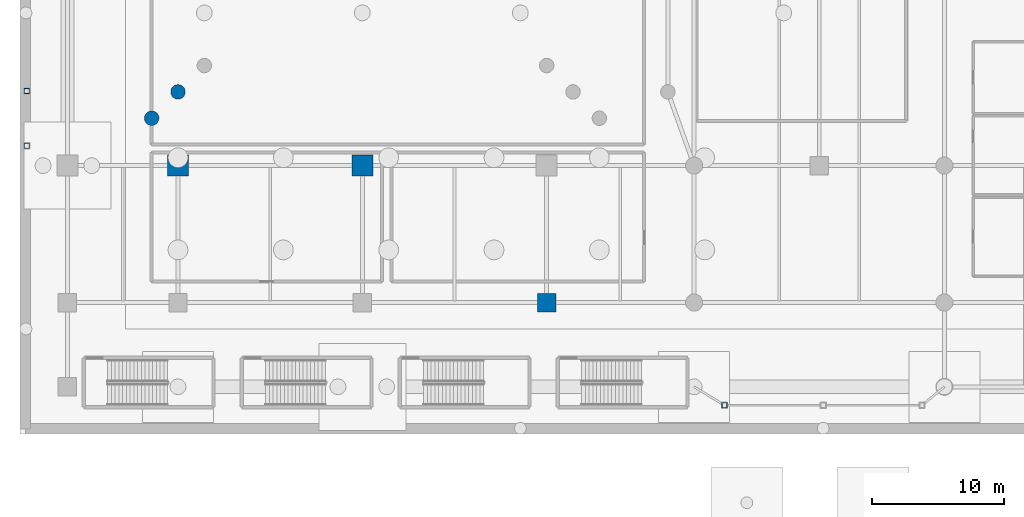
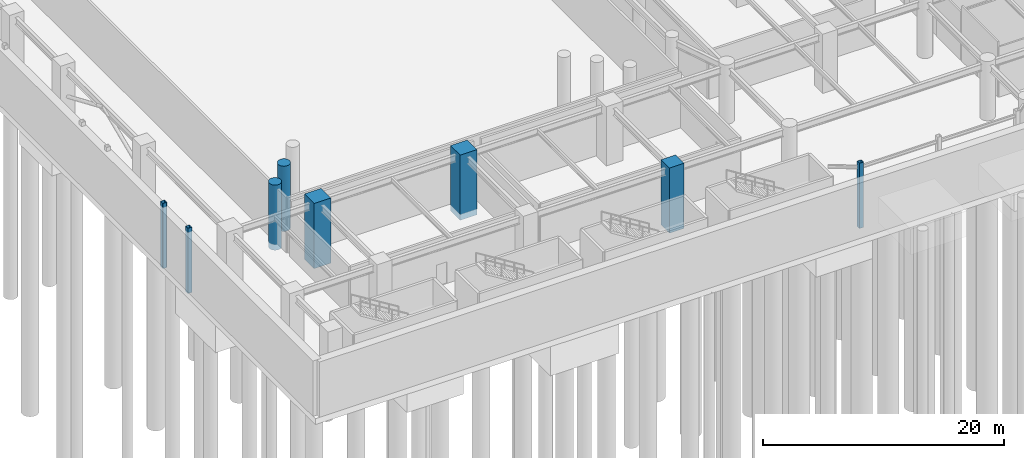
# One storey, part 2 of 37: 8 columns.
"""IFC4 building model written with IfcOpenShell, lengths in metres."""

import ifcopenshell
import ifcopenshell.guid

model = None  # the IFC model being written
_history = None  # IfcOwnerHistory: only IFC2X3 demands one
_inside = {}  # id of a spatial element -> (the spatial element, [elements in it])
_under = {}  # id of a project, library or spatial element -> (it, [spatial elements below it])
_declared = {}  # id of a project -> (the project, [libraries it declares])
_typed = {}  # id of a type object -> (the type object, [elements of that type])
_made_of = {}  # id of a material, layer set ... -> (it, [elements and type objects made of it])


def new_model(schema):
    """Start an empty IFC model of exactly this schema.

    Asked for "IFC4X3", IfcOpenShell would pick the latest addendum, in which some entities
    have other attributes; the version numbers below select the first issue.
    IFC2X3 requires an IfcOwnerHistory on every rooted entity: one is made here for all.
    """
    global model, _history
    if schema == "IFC4X3":
        model = ifcopenshell.file(schema_version=(4, 3, 0, 0))
    else:
        model = ifcopenshell.file(schema=schema)
    _inside.clear()
    _under.clear()
    _declared.clear()
    _typed.clear()
    _made_of.clear()
    _history = None
    if model.schema == "IFC2X3":
        org = make("IfcOrganization", Name="unknown")
        user = make(
            "IfcPersonAndOrganization",
            ThePerson=make("IfcPerson", FamilyName="unknown"),
            TheOrganization=org,
        )
        app = make(
            "IfcApplication",
            ApplicationDeveloper=org,
            Version="unknown",
            ApplicationFullName="unknown",
            ApplicationIdentifier="unknown",
        )
        _history = make(
            "IfcOwnerHistory",
            OwningUser=user,
            OwningApplication=app,
            ChangeAction="ADDED",
            CreationDate=0,
        )
    return model


def make(cls, **values):
    """One entity of the class cls with the attributes given. An attribute that is None is left unset."""
    return model.create_entity(
        cls, **{name: value for name, value in values.items() if value is not None}
    )


def rooted(cls, **values):
    """An entity with a GlobalId (a new one), such as an element, a storey or a relation."""
    return make(cls, GlobalId=ifcopenshell.guid.new(), OwnerHistory=_history, **values)


def si_unit(unit_type, name, prefix=None):
    """IfcSIUnit, for example si_unit("LENGTHUNIT", "METRE", prefix="MILLI")."""
    return make("IfcSIUnit", UnitType=unit_type, Prefix=prefix, Name=name)


def assignment(units):
    """IfcUnitAssignment: the units of a project."""
    return None if units is None else make("IfcUnitAssignment", Units=units)


def point(xyz):
    """IfcCartesianPoint."""
    return None if xyz is None else make("IfcCartesianPoint", Coordinates=xyz)


def direction(xyz):
    """IfcDirection."""
    return None if xyz is None else make("IfcDirection", DirectionRatios=xyz)


def frame(location, z_axis=None, x_axis=None):
    """IfcAxis2Placement3D, a coordinate frame: its origin and axes. An axis left out is left unset."""
    return make(
        "IfcAxis2Placement3D",
        Location=point(location),
        Axis=direction(z_axis),
        RefDirection=direction(x_axis),
    )


def frame_2d(location, x_axis=None):
    """IfcAxis2Placement2D, a coordinate frame in the plane: its origin and x axis."""
    return make(
        "IfcAxis2Placement2D", Location=point(location), RefDirection=direction(x_axis)
    )


def origin():
    """The frame at (0, 0, 0) with its axes left unset."""
    return frame((0.0, 0.0, 0.0))


def origin_2d():
    """The frame at (0, 0) in the plane with its x axis left unset."""
    return frame_2d((0.0, 0.0))


def place(relative_to, where):
    """IfcLocalPlacement: puts the frame where relative to a parent placement (None: the world)."""
    return make(
        "IfcLocalPlacement", PlacementRelTo=relative_to, RelativePlacement=where
    )


def context(
    kind, dimensions, precision=None, world=None, true_north=None, identifier=None
):
    """IfcGeometricRepresentationContext, for example the 3D "Model" context."""
    return make(
        "IfcGeometricRepresentationContext",
        ContextIdentifier=identifier,
        ContextType=kind,
        CoordinateSpaceDimension=dimensions,
        Precision=precision,
        WorldCoordinateSystem=world,
        TrueNorth=true_north,
    )


def subcontext(parent, identifier, kind, view, scale=None):
    """IfcGeometricRepresentationSubContext, for example "Body" below "Model"."""
    return make(
        "IfcGeometricRepresentationSubContext",
        ContextIdentifier=identifier,
        ContextType=kind,
        ParentContext=parent,
        TargetScale=scale,
        TargetView=view,
    )


def project(units=None, contexts=None):
    """IfcProject with its units and contexts."""
    return rooted(
        "IfcProject",
        Name="project",
        RepresentationContexts=contexts,
        UnitsInContext=assignment(units),
    )


def spatial(cls, under=None, at=None, **own):
    """A site, building, storey or space (cls), placed at a placement, below another one or the project."""
    s = rooted(cls, ObjectPlacement=at, **own)
    if under is not None:
        _under.setdefault(under.id(), (under, []))[1].append(s)
    return s


def profile(cls, at=None, kind="AREA", **sizes):
    """A parametric profile (cls). Its sizes go by their IFC names, for example OverallWidth=200.0."""
    return make(cls, ProfileType=kind, Position=at, **sizes)


def rectangle(**sizes):
    """IfcRectangleProfileDef."""
    return profile("IfcRectangleProfileDef", **sizes)


def hollow_rectangle(**sizes):
    """IfcRectangleHollowProfileDef."""
    return profile("IfcRectangleHollowProfileDef", **sizes)


def circle(**sizes):
    """IfcCircleProfileDef."""
    return profile("IfcCircleProfileDef", **sizes)


def extrude(swept, where, along, depth):
    """IfcExtrudedAreaSolid: the profile swept, set in the frame where, extruded along a direction by depth."""
    return make(
        "IfcExtrudedAreaSolid",
        SweptArea=swept,
        Position=where,
        ExtrudedDirection=direction(along),
        Depth=depth,
    )


def shape(context_of_items, identifier, shape_type, items):
    """IfcShapeRepresentation: the items that make up one representation, for example the "Body"."""
    return make(
        "IfcShapeRepresentation",
        ContextOfItems=context_of_items,
        RepresentationIdentifier=identifier,
        RepresentationType=shape_type,
        Items=items,
    )


def material(Name=None, Category=None):
    """IfcMaterial."""
    return make("IfcMaterial", Name=Name, Category=Category)


def material_profile(
    of_material, cross_section, Name=None, Category=None, Priority=None
):
    """IfcMaterialProfile: a cross section and its material."""
    return make(
        "IfcMaterialProfile",
        Name=Name,
        Material=of_material,
        Profile=cross_section,
        Priority=Priority,
        Category=Category,
    )


def profile_set(profiles, Name=None, composite=None):
    """IfcMaterialProfileSet."""
    return make(
        "IfcMaterialProfileSet",
        Name=Name,
        MaterialProfiles=profiles,
        CompositeProfile=composite,
    )


def made_of(thing, what):
    """Note that an element or type object is made of a material, layer set ...; save() writes the relation."""
    if what is not None:
        _made_of.setdefault(what.id(), (what, []))[1].append(thing)
    return thing


def type_object(cls, material=None, **own):
    """A type object (cls), such as IfcWallType, which elements share."""
    return made_of(rooted(cls, **own), material)


def element(
    cls,
    number,
    at=None,
    inside=None,
    cuts=None,
    type_object=None,
    material=None,
    context=None,
    identifier="Body",
    shape_type=None,
    held_by="IfcProductDefinitionShape",
    body=None,
    shapes=None,
    **own,
):
    """One element of the class cls, such as IfcWall. Its Tag is "e" and its number.

    at: its placement. inside: the storey or other place that contains it. cuts: it is an
    opening in that element (IfcRelVoidsElement). A single representation is given by context,
    identifier, shape_type and body (its items); several are given by shapes. held_by: the class
    of the entity that holds the representations. save() writes the other relations.
    """
    e = rooted(cls, Tag="e%d" % number, ObjectPlacement=at, **own)
    if body is not None:
        shapes = [shape(context, identifier, shape_type, body)]
    if shapes is not None:
        e.Representation = make(held_by, Representations=shapes)
    if inside is not None:
        _inside.setdefault(inside.id(), (inside, []))[1].append(e)
    if cuts is not None:
        rooted(
            "IfcRelVoidsElement", RelatingBuildingElement=cuts, RelatedOpeningElement=e
        )
    if type_object is not None:
        _typed.setdefault(type_object.id(), (type_object, []))[1].append(e)
    return made_of(e, material)


def aggregate(whole, parts):
    """IfcRelAggregates: a whole, such as a stair, and the parts it consists of."""
    return rooted("IfcRelAggregates", RelatingObject=whole, RelatedObjects=parts)


def save(model, path):
    """Write the relations noted so far, then the file.

    IfcRelAggregates (storeys below a building ...), IfcRelContainedInSpatialStructure (elements
    in a storey), IfcRelDefinesByType, IfcRelAssociatesMaterial and IfcRelDeclares: one each for
    every whole, place, type object, material and project.
    """
    for whole, parts in _under.values():
        aggregate(whole, parts)
    for where, things in _inside.values():
        rooted(
            "IfcRelContainedInSpatialStructure",
            RelatedElements=things,
            RelatingStructure=where,
        )
    for kind, things in _typed.values():
        rooted("IfcRelDefinesByType", RelatedObjects=things, RelatingType=kind)
    for what, things in _made_of.values():
        rooted("IfcRelAssociatesMaterial", RelatedObjects=things, RelatingMaterial=what)
    for by, libraries in _declared.values():
        rooted("IfcRelDeclares", RelatingContext=by, RelatedDefinitions=libraries)
    model.write(path)


model = new_model("IFC4")

# Units and contexts
model_context = context("Model", 3, precision=1e-05, world=origin(), true_north=direction((0.0, 1.0)))
body_context = subcontext(model_context, "Body", "Model", "MODEL_VIEW")
ifc_project = project(units=[si_unit("LENGTHUNIT", "METRE"), si_unit("AREAUNIT", "SQUARE_METRE"), si_unit("VOLUMEUNIT", "CUBIC_METRE"), si_unit("PLANEANGLEUNIT", "RADIAN"), si_unit("MASSUNIT", "GRAM", prefix="KILO")], contexts=[model_context])

# Site, building, storey
site_placement = place(None, origin())
site = spatial("IfcSite", under=ifc_project, at=site_placement, CompositionType="ELEMENT")
building_placement = place(site_placement, origin())
building = spatial("IfcBuilding", under=site, at=building_placement, Name="Narakoshi Arena Tower", CompositionType="ELEMENT")
storey_placement = place(building_placement, frame((0.0, 0.0, -6.0)))
storey = spatial("IfcBuildingStorey", under=building, at=storey_placement, Name="B01", CompositionType="ELEMENT", Elevation=-6.0)

# Columns
ifc_material_1 = material(Name="Concrete C50/60", Category="concrete")
ifc_material_profile_1 = material_profile(ifc_material_1, circle(Radius=0.550048828125, at=origin_2d()), Name="RCC1100")
ifc_profile_set_1 = profile_set([ifc_material_profile_1], Name="Concrete C50/60")
column_type_1 = type_object("IfcColumnType", Name="COL-CIR1100", PredefinedType="PILASTER", material=ifc_profile_set_1)
for number, where, z_axis, x_axis, name in (
    (1, (12.0, 26.0, -0.60009765625), (0.0, 0.0, 1.0), (1.0, 0.0, 0.0), "B01 Arena Bowl Raker Column BWL2A"),
    (2, (10.0, 24.0, -0.60009765625), (0.0, 0.0, 1.0), (1.0, 0.0, 0.0), "B01 Arena Bowl Raker Column BWL3A"),
):
    element("IfcColumn", number, at=place(storey_placement, frame(where, z_axis=z_axis, x_axis=x_axis)), inside=storey, type_object=column_type_1, Name=name, PredefinedType="PILASTER", context=body_context, shape_type="SweptSolid", body=[
        extrude(circle(Radius=0.550048828125, at=origin_2d()), origin(), (0.0, 0.0, 1.0), 6.60009765625),
    ])
ifc_material_2 = material(Name="Concrete C60/75", Category="concrete")
ifc_material_profile_2 = material_profile(ifc_material_2, rectangle(XDim=1.39990234375, YDim=1.39990234375, at=origin_2d()), Name="RC1400x1400")
ifc_profile_set_2 = profile_set([ifc_material_profile_2], Name="Concrete C60/75")
column_type_2 = type_object("IfcColumnType", Name="COL-RC1400", PredefinedType="COLUMN", material=ifc_profile_set_2)
column_placement = place(storey_placement, frame((40.0, 10.0, -0.60009765625), z_axis=(0.0, 0.0, 1.0), x_axis=(1.0, 0.0, 0.0)))
element("IfcColumn", 3, at=column_placement, inside=storey, type_object=column_type_2, Name="B01 Podium Column PC18", PredefinedType="COLUMN", context=body_context, shape_type="SweptSolid", body=[
    extrude(rectangle(XDim=1.39990234375, YDim=1.39990234375, at=origin_2d()), origin(), (0.0, 0.0, 1.0), 6.60009765625),
])
ifc_material_profile_3 = material_profile(ifc_material_2, rectangle(XDim=1.60009765625, YDim=1.60009765625, at=origin_2d()), Name="RC1600x1600")
ifc_profile_set_3 = profile_set([ifc_material_profile_3], Name="Concrete C60/75")
column_type_3 = type_object("IfcColumnType", Name="COL-RC1600", PredefinedType="COLUMN", material=ifc_profile_set_3)
for number, where, z_axis, x_axis, name in (
    (4, (12.0, 20.39990234375, -0.60009765625), (0.0, 0.0, 1.0), (1.0, 0.0, 0.0), "B01 Podium Column PC11"),
    (5, (26.0, 20.39990234375, -0.60009765625), (0.0, 0.0, 1.0), (1.0, 0.0, 0.0), "B01 Podium Column PC15"),
):
    element("IfcColumn", number, at=place(storey_placement, frame(where, z_axis=z_axis, x_axis=x_axis)), inside=storey, type_object=column_type_3, Name=name, PredefinedType="COLUMN", context=body_context, shape_type="SweptSolid", body=[
        extrude(rectangle(XDim=1.60009765625, YDim=1.60009765625, at=origin_2d()), origin(), (0.0, 0.0, 1.0), 6.60009765625),
    ])
ifc_material_3 = material(Name="Structural steel S355J2", Category="steel")
ifc_material_profile_4 = material_profile(ifc_material_3, hollow_rectangle(XDim=0.39990234375, YDim=0.39990234375, WallThickness=0.02001953125, OuterFilletRadius=0.0400390625, at=origin_2d()), Name="SHS400x400x20")
ifc_profile_set_4 = profile_set([ifc_material_profile_4], Name="Structural steel S355J2")
column_type_4 = type_object("IfcColumnType", Name="COL-SHS400", PredefinedType="COLUMN", material=ifc_profile_set_4)
for number, where, z_axis, x_axis, name in (
    (6, (0.52001953125, 26.070068359375, -0.60009765625), (0.0, 0.0, 1.0), (1.0, 0.0, 0.0), "B01 Shutter Lintel Pier 05N"),
    (7, (0.52001953125, 21.909912109375, -0.60009765625), (0.0, 0.0, 1.0), (1.0, 0.0, 0.0), "B01 Shutter Lintel Pier 05S"),
    (8, (53.5, 2.199951171875, -0.60009765625), (0.0, 0.0, 1.0), (1.0, 0.0, 0.0), "B01 Concourse Canopy Column CAN01"),
):
    element("IfcColumn", number, at=place(storey_placement, frame(where, z_axis=z_axis, x_axis=x_axis)), inside=storey, type_object=column_type_4, Name=name, PredefinedType="COLUMN", context=body_context, shape_type="SweptSolid", body=[
        extrude(hollow_rectangle(XDim=0.39990234375, YDim=0.39990234375, WallThickness=0.02001953125, OuterFilletRadius=0.0400390625, at=origin_2d()), origin(), (0.0, 0.0, 1.0), 6.60009765625),
    ])

save(model, "model.ifc")
